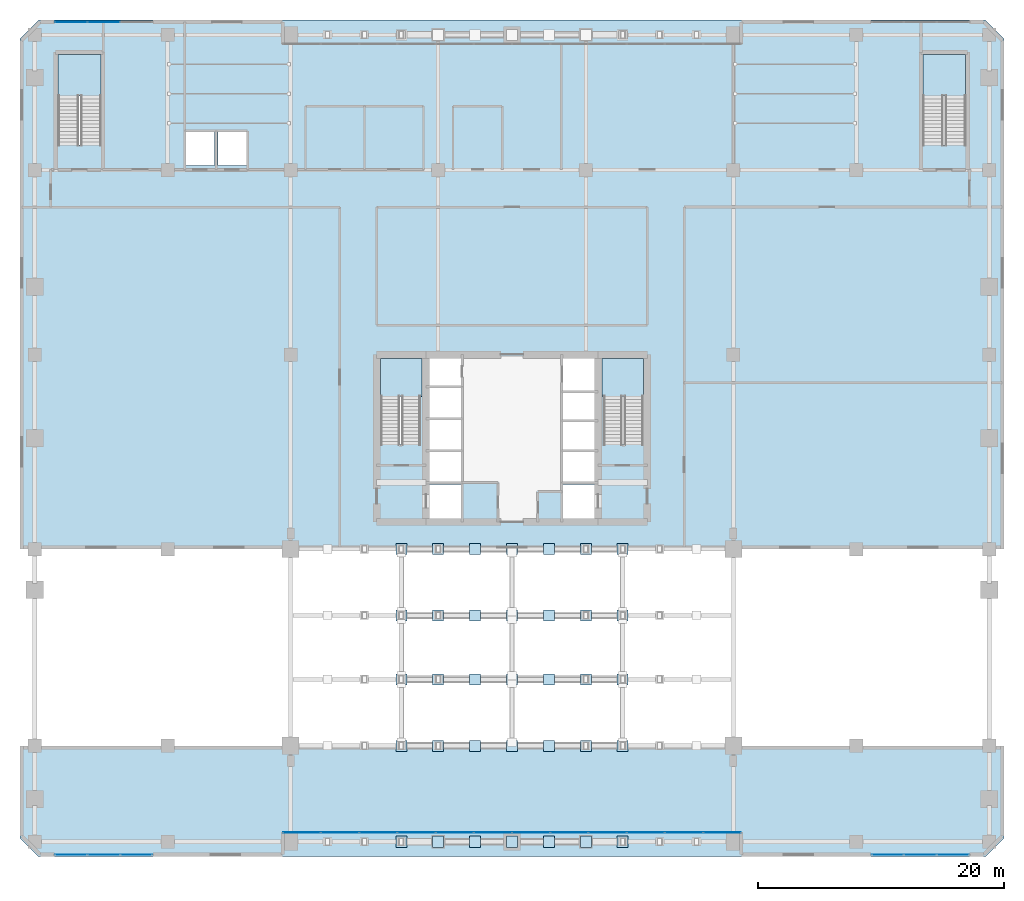
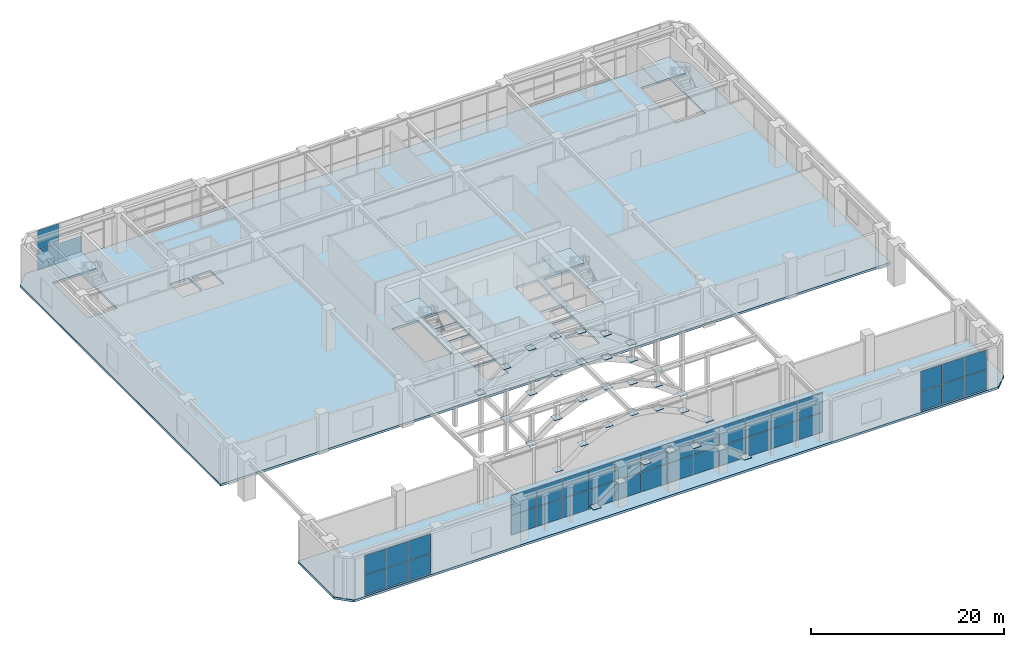
# One storey, part 22 of 32: 74 plates, 6 slabs, 8 elements without a shape of their own.
"""IFC4 building model written with IfcOpenShell, lengths in metres."""

from ifc_helpers import new_model, si_unit, direction, frame, origin, origin_2d, place, context, subcontext, project, spatial, polyline, rectangle, outline, extrude, material, layer, layer_set, type_object, element, aggregate, save


model = new_model("IFC4")

# Units and contexts
model_context = context("Model", 3, precision=1e-05, world=origin(), true_north=direction((0.0, 1.0)))
body_context = subcontext(model_context, "Body", "Model", "MODEL_VIEW")
ifc_project = project(units=[si_unit("LENGTHUNIT", "METRE"), si_unit("AREAUNIT", "SQUARE_METRE"), si_unit("VOLUMEUNIT", "CUBIC_METRE"), si_unit("PLANEANGLEUNIT", "RADIAN"), si_unit("MASSUNIT", "GRAM", prefix="KILO")], contexts=[model_context])

# Site, building, storey
site_placement = place(None, origin())
site = spatial("IfcSite", under=ifc_project, at=site_placement, CompositionType="ELEMENT")
building_placement = place(site_placement, origin())
building = spatial("IfcBuilding", under=site, at=building_placement, Name="Sarneth Arch Tower", CompositionType="ELEMENT")
storey_placement = place(building_placement, frame((0.0, 0.0, 11.39990234375)))
storey = spatial("IfcBuildingStorey", under=building, at=storey_placement, Name="L02", CompositionType="ELEMENT", Elevation=11.39990234375)

# Curtain wall, plates
ifc_material_1 = material(Name="Anodised aluminium Type AA25 and solar-control low-e laminated IGU", Category="aluminium")
ifc_layer_1 = layer(ifc_material_1, 0.199951171875)
ifc_layer_set_1 = layer_set([ifc_layer_1], Name="Anodised aluminium Type AA25 and solar-control low-e laminated IGU")
curtain_wall_type_1 = type_object("IfcCurtainWallType", Name="CW-ARCH-GLAZE", PredefinedType="NOTDEFINED", material=ifc_layer_set_1)
curtain_wall_1_placement = place(storey_placement, origin())
curtain_wall_1 = element("IfcCurtainWall", 1, at=curtain_wall_1_placement, inside=storey, type_object=curtain_wall_type_1, Name="L02 South parabolic arch portal curtain wall", PredefinedType="NOTDEFINED")
ifc_material_2 = material(Name="Solar-control low-e laminated IGU", Category="glass")
ifc_layer_2 = layer(ifc_material_2, 0.028076171875)
ifc_layer_set_2 = layer_set([ifc_layer_2], Name="Solar-control low-e laminated IGU")
plate_type_1 = type_object("IfcPlateType", Name="CW-PANEL", PredefinedType="CURTAIN_PANEL", material=ifc_layer_set_2)
plate_1_placement = place(storey_placement, frame((30.919189453125, 9.949951171875, 0.06005859375), z_axis=(0.0, 0.0, 1.0), x_axis=(1.0, 0.0, 0.0)))
plate_1 = element("IfcPlate", 2, at=plate_1_placement, type_object=plate_type_1, Name="Curtain wall glazed vision pane CW-L02-S-ARCH/P00-00", PredefinedType="CURTAIN_PANEL", context=body_context, shape_type="SweptSolid", body=[
    extrude(rectangle(XDim=3.018310546875, YDim=0.028076171875, at=origin_2d()), origin(), (0.0, 0.0, 1.0), 2.4599609375),
])
plate_2_placement = place(storey_placement, frame((30.919189453125, 9.949951171875, 2.580078125), z_axis=(0.0, 0.0, 1.0), x_axis=(1.0, 0.0, 0.0)))
plate_2 = element("IfcPlate", 3, at=plate_2_placement, type_object=plate_type_1, Name="Curtain wall glazed vision pane CW-L02-S-ARCH/P00-01", PredefinedType="CURTAIN_PANEL", context=body_context, shape_type="SweptSolid", body=[
    extrude(rectangle(XDim=3.018310546875, YDim=0.028076171875, at=origin_2d()), origin(), (0.0, 0.0, 1.0), 2.4599609375),
])
plate_3_placement = place(storey_placement, frame((34.012451171875, 9.949951171875, 0.06005859375), z_axis=(0.0, 0.0, 1.0), x_axis=(1.0, 0.0, 0.0)))
plate_3 = element("IfcPlate", 4, at=plate_3_placement, type_object=plate_type_1, Name="Curtain wall glazed vision pane CW-L02-S-ARCH/P01-00", PredefinedType="CURTAIN_PANEL", context=body_context, shape_type="SweptSolid", body=[
    extrude(rectangle(XDim=3.04833984375, YDim=0.028076171875, at=origin_2d()), origin(), (0.0, 0.0, 1.0), 2.4599609375),
])
plate_4_placement = place(storey_placement, frame((34.012451171875, 9.949951171875, 2.580078125), z_axis=(0.0, 0.0, 1.0), x_axis=(1.0, 0.0, 0.0)))
plate_4 = element("IfcPlate", 5, at=plate_4_placement, type_object=plate_type_1, Name="Curtain wall glazed vision pane CW-L02-S-ARCH/P01-01", PredefinedType="CURTAIN_PANEL", context=body_context, shape_type="SweptSolid", body=[
    extrude(rectangle(XDim=3.04833984375, YDim=0.028076171875, at=origin_2d()), origin(), (0.0, 0.0, 1.0), 2.4599609375),
])
plate_5_placement = place(storey_placement, frame((37.120849609375, 9.949951171875, 0.06005859375), z_axis=(0.0, 0.0, 1.0), x_axis=(1.0, 0.0, 0.0)))
plate_5 = element("IfcPlate", 6, at=plate_5_placement, type_object=plate_type_1, Name="Curtain wall glazed vision pane CW-L02-S-ARCH/P02-00", PredefinedType="CURTAIN_PANEL", context=body_context, shape_type="SweptSolid", body=[
    extrude(rectangle(XDim=3.04833984375, YDim=0.028076171875, at=origin_2d()), origin(), (0.0, 0.0, 1.0), 2.4599609375),
])
plate_6_placement = place(storey_placement, frame((37.120849609375, 9.949951171875, 2.580078125), z_axis=(0.0, 0.0, 1.0), x_axis=(1.0, 0.0, 0.0)))
plate_6 = element("IfcPlate", 7, at=plate_6_placement, type_object=plate_type_1, Name="Curtain wall glazed vision pane CW-L02-S-ARCH/P02-01", PredefinedType="CURTAIN_PANEL", context=body_context, shape_type="SweptSolid", body=[
    extrude(rectangle(XDim=3.04833984375, YDim=0.028076171875, at=origin_2d()), origin(), (0.0, 0.0, 1.0), 2.4599609375),
])
plate_7_placement = place(storey_placement, frame((40.229248046875, 9.949951171875, 0.06005859375), z_axis=(0.0, 0.0, 1.0), x_axis=(1.0, 0.0, 0.0)))
plate_7 = element("IfcPlate", 8, at=plate_7_placement, type_object=plate_type_1, Name="Curtain wall glazed vision pane CW-L02-S-ARCH/P03-00", PredefinedType="CURTAIN_PANEL", context=body_context, shape_type="SweptSolid", body=[
    extrude(rectangle(XDim=3.04833984375, YDim=0.028076171875, at=origin_2d()), origin(), (0.0, 0.0, 1.0), 2.4599609375),
])
plate_8_placement = place(storey_placement, frame((40.229248046875, 9.949951171875, 2.580078125), z_axis=(0.0, 0.0, 1.0), x_axis=(1.0, 0.0, 0.0)))
plate_8 = element("IfcPlate", 9, at=plate_8_placement, type_object=plate_type_1, Name="Curtain wall glazed vision pane CW-L02-S-ARCH/P03-01", PredefinedType="CURTAIN_PANEL", context=body_context, shape_type="SweptSolid", body=[
    extrude(rectangle(XDim=3.04833984375, YDim=0.028076171875, at=origin_2d()), origin(), (0.0, 0.0, 1.0), 2.4599609375),
])
plate_9_placement = place(storey_placement, frame((43.33740234375, 9.949951171875, 0.06005859375), z_axis=(0.0, 0.0, 1.0), x_axis=(1.0, 0.0, 0.0)))
plate_9 = element("IfcPlate", 10, at=plate_9_placement, type_object=plate_type_1, Name="Curtain wall glazed vision pane CW-L02-S-ARCH/P04-00", PredefinedType="CURTAIN_PANEL", context=body_context, shape_type="SweptSolid", body=[
    extrude(rectangle(XDim=3.04833984375, YDim=0.028076171875, at=origin_2d()), origin(), (0.0, 0.0, 1.0), 2.4599609375),
])
plate_10_placement = place(storey_placement, frame((43.33740234375, 9.949951171875, 2.580078125), z_axis=(0.0, 0.0, 1.0), x_axis=(1.0, 0.0, 0.0)))
plate_10 = element("IfcPlate", 11, at=plate_10_placement, type_object=plate_type_1, Name="Curtain wall glazed vision pane CW-L02-S-ARCH/P04-01", PredefinedType="CURTAIN_PANEL", context=body_context, shape_type="SweptSolid", body=[
    extrude(rectangle(XDim=3.04833984375, YDim=0.028076171875, at=origin_2d()), origin(), (0.0, 0.0, 1.0), 2.4599609375),
])
plate_11_placement = place(storey_placement, frame((46.44580078125, 9.949951171875, 0.06005859375), z_axis=(0.0, 0.0, 1.0), x_axis=(1.0, 0.0, 0.0)))
plate_11 = element("IfcPlate", 12, at=plate_11_placement, type_object=plate_type_1, Name="Curtain wall glazed vision pane CW-L02-S-ARCH/P05-00", PredefinedType="CURTAIN_PANEL", context=body_context, shape_type="SweptSolid", body=[
    extrude(rectangle(XDim=3.04833984375, YDim=0.028076171875, at=origin_2d()), origin(), (0.0, 0.0, 1.0), 2.4599609375),
])
plate_12_placement = place(storey_placement, frame((46.44580078125, 9.949951171875, 2.580078125), z_axis=(0.0, 0.0, 1.0), x_axis=(1.0, 0.0, 0.0)))
plate_12 = element("IfcPlate", 13, at=plate_12_placement, type_object=plate_type_1, Name="Curtain wall glazed vision pane CW-L02-S-ARCH/P05-01", PredefinedType="CURTAIN_PANEL", context=body_context, shape_type="SweptSolid", body=[
    extrude(rectangle(XDim=3.04833984375, YDim=0.028076171875, at=origin_2d()), origin(), (0.0, 0.0, 1.0), 2.4599609375),
])
plate_13_placement = place(storey_placement, frame((49.55419921875, 9.949951171875, 0.06005859375), z_axis=(0.0, 0.0, 1.0), x_axis=(1.0, 0.0, 0.0)))
plate_13 = element("IfcPlate", 14, at=plate_13_placement, type_object=plate_type_1, Name="Curtain wall glazed vision pane CW-L02-S-ARCH/P06-00", PredefinedType="CURTAIN_PANEL", context=body_context, shape_type="SweptSolid", body=[
    extrude(rectangle(XDim=3.04833984375, YDim=0.028076171875, at=origin_2d()), origin(), (0.0, 0.0, 1.0), 2.4599609375),
])
plate_14_placement = place(storey_placement, frame((49.55419921875, 9.949951171875, 2.580078125), z_axis=(0.0, 0.0, 1.0), x_axis=(1.0, 0.0, 0.0)))
plate_14 = element("IfcPlate", 15, at=plate_14_placement, type_object=plate_type_1, Name="Curtain wall glazed vision pane CW-L02-S-ARCH/P06-01", PredefinedType="CURTAIN_PANEL", context=body_context, shape_type="SweptSolid", body=[
    extrude(rectangle(XDim=3.04833984375, YDim=0.028076171875, at=origin_2d()), origin(), (0.0, 0.0, 1.0), 2.4599609375),
])
plate_15_placement = place(storey_placement, frame((52.66259765625, 9.949951171875, 0.06005859375), z_axis=(0.0, 0.0, 1.0), x_axis=(1.0, 0.0, 0.0)))
plate_15 = element("IfcPlate", 16, at=plate_15_placement, type_object=plate_type_1, Name="Curtain wall glazed vision pane CW-L02-S-ARCH/P07-00", PredefinedType="CURTAIN_PANEL", context=body_context, shape_type="SweptSolid", body=[
    extrude(rectangle(XDim=3.04833984375, YDim=0.028076171875, at=origin_2d()), origin(), (0.0, 0.0, 1.0), 2.4599609375),
])
plate_16_placement = place(storey_placement, frame((52.66259765625, 9.949951171875, 2.580078125), z_axis=(0.0, 0.0, 1.0), x_axis=(1.0, 0.0, 0.0)))
plate_16 = element("IfcPlate", 17, at=plate_16_placement, type_object=plate_type_1, Name="Curtain wall glazed vision pane CW-L02-S-ARCH/P07-01", PredefinedType="CURTAIN_PANEL", context=body_context, shape_type="SweptSolid", body=[
    extrude(rectangle(XDim=3.04833984375, YDim=0.028076171875, at=origin_2d()), origin(), (0.0, 0.0, 1.0), 2.4599609375),
])
plate_17_placement = place(storey_placement, frame((55.770751953125, 9.949951171875, 0.06005859375), z_axis=(0.0, 0.0, 1.0), x_axis=(1.0, 0.0, 0.0)))
plate_17 = element("IfcPlate", 18, at=plate_17_placement, type_object=plate_type_1, Name="Curtain wall glazed vision pane CW-L02-S-ARCH/P08-00", PredefinedType="CURTAIN_PANEL", context=body_context, shape_type="SweptSolid", body=[
    extrude(rectangle(XDim=3.04833984375, YDim=0.028076171875, at=origin_2d()), origin(), (0.0, 0.0, 1.0), 2.4599609375),
])
plate_18_placement = place(storey_placement, frame((55.770751953125, 9.949951171875, 2.580078125), z_axis=(0.0, 0.0, 1.0), x_axis=(1.0, 0.0, 0.0)))
plate_18 = element("IfcPlate", 19, at=plate_18_placement, type_object=plate_type_1, Name="Curtain wall glazed vision pane CW-L02-S-ARCH/P08-01", PredefinedType="CURTAIN_PANEL", context=body_context, shape_type="SweptSolid", body=[
    extrude(rectangle(XDim=3.04833984375, YDim=0.028076171875, at=origin_2d()), origin(), (0.0, 0.0, 1.0), 2.4599609375),
])
plate_19_placement = place(storey_placement, frame((58.879150390625, 9.949951171875, 0.06005859375), z_axis=(0.0, 0.0, 1.0), x_axis=(1.0, 0.0, 0.0)))
plate_19 = element("IfcPlate", 20, at=plate_19_placement, type_object=plate_type_1, Name="Curtain wall glazed vision pane CW-L02-S-ARCH/P09-00", PredefinedType="CURTAIN_PANEL", context=body_context, shape_type="SweptSolid", body=[
    extrude(rectangle(XDim=3.04833984375, YDim=0.028076171875, at=origin_2d()), origin(), (0.0, 0.0, 1.0), 2.4599609375),
])
plate_20_placement = place(storey_placement, frame((58.879150390625, 9.949951171875, 2.580078125), z_axis=(0.0, 0.0, 1.0), x_axis=(1.0, 0.0, 0.0)))
plate_20 = element("IfcPlate", 21, at=plate_20_placement, type_object=plate_type_1, Name="Curtain wall glazed vision pane CW-L02-S-ARCH/P09-01", PredefinedType="CURTAIN_PANEL", context=body_context, shape_type="SweptSolid", body=[
    extrude(rectangle(XDim=3.04833984375, YDim=0.028076171875, at=origin_2d()), origin(), (0.0, 0.0, 1.0), 2.4599609375),
])
plate_21_placement = place(storey_placement, frame((61.987548828125, 9.949951171875, 0.06005859375), z_axis=(0.0, 0.0, 1.0), x_axis=(1.0, 0.0, 0.0)))
plate_21 = element("IfcPlate", 22, at=plate_21_placement, type_object=plate_type_1, Name="Curtain wall glazed vision pane CW-L02-S-ARCH/P10-00", PredefinedType="CURTAIN_PANEL", context=body_context, shape_type="SweptSolid", body=[
    extrude(rectangle(XDim=3.04833984375, YDim=0.028076171875, at=origin_2d()), origin(), (0.0, 0.0, 1.0), 2.4599609375),
])
plate_22_placement = place(storey_placement, frame((61.987548828125, 9.949951171875, 2.580078125), z_axis=(0.0, 0.0, 1.0), x_axis=(1.0, 0.0, 0.0)))
plate_22 = element("IfcPlate", 23, at=plate_22_placement, type_object=plate_type_1, Name="Curtain wall glazed vision pane CW-L02-S-ARCH/P10-01", PredefinedType="CURTAIN_PANEL", context=body_context, shape_type="SweptSolid", body=[
    extrude(rectangle(XDim=3.04833984375, YDim=0.028076171875, at=origin_2d()), origin(), (0.0, 0.0, 1.0), 2.4599609375),
])
plate_23_placement = place(storey_placement, frame((65.080810546875, 9.949951171875, 0.06005859375), z_axis=(0.0, 0.0, 1.0), x_axis=(1.0, 0.0, 0.0)))
plate_23 = element("IfcPlate", 24, at=plate_23_placement, type_object=plate_type_1, Name="Curtain wall glazed vision pane CW-L02-S-ARCH/P11-00", PredefinedType="CURTAIN_PANEL", context=body_context, shape_type="SweptSolid", body=[
    extrude(rectangle(XDim=3.018310546875, YDim=0.028076171875, at=origin_2d()), origin(), (0.0, 0.0, 1.0), 2.4599609375),
])
plate_24_placement = place(storey_placement, frame((65.080810546875, 9.949951171875, 2.580078125), z_axis=(0.0, 0.0, 1.0), x_axis=(1.0, 0.0, 0.0)))
plate_24 = element("IfcPlate", 25, at=plate_24_placement, type_object=plate_type_1, Name="Curtain wall glazed vision pane CW-L02-S-ARCH/P11-01", PredefinedType="CURTAIN_PANEL", context=body_context, shape_type="SweptSolid", body=[
    extrude(rectangle(XDim=3.018310546875, YDim=0.028076171875, at=origin_2d()), origin(), (0.0, 0.0, 1.0), 2.4599609375),
])
aggregate(curtain_wall_1, [plate_1, plate_2, plate_3, plate_4, plate_5, plate_6, plate_7, plate_8, plate_9, plate_10, plate_11, plate_12, plate_13, plate_14, plate_15, plate_16, plate_17, plate_18, plate_19, plate_20, plate_21, plate_22, plate_23, plate_24])

ifc_material_3 = material(Name="Anodised aluminium Type AA25 and solar-control low-e laminated IGU", Category="aluminium")
ifc_layer_3 = layer(ifc_material_3, 0.179931640625)
ifc_layer_set_3 = layer_set([ifc_layer_3], Name="Anodised aluminium Type AA25 and solar-control low-e laminated IGU")
curtain_wall_type_2 = type_object("IfcCurtainWallType", Name="CW-PODIUM-CHAMF", PredefinedType="NOTDEFINED", material=ifc_layer_set_3)
curtain_wall_2_placement = place(storey_placement, origin())
curtain_wall_2 = element("IfcCurtainWall", 26, at=curtain_wall_2_placement, inside=storey, type_object=curtain_wall_type_2, Name="L02 Podium bay curtain wall NW", PredefinedType="NOTDEFINED")
plate_25_placement = place(storey_placement, frame((14.800048828125, 75.85009765625, 0.06005859375), z_axis=(0.0, 0.0, 1.0), x_axis=(-1.0, 0.0, 0.0)))
plate_25 = element("IfcPlate", 27, at=plate_25_placement, type_object=plate_type_1, Name="Curtain wall glazed vision pane CW-L02-CORNER-NW/P01-00", PredefinedType="CURTAIN_PANEL", context=body_context, shape_type="SweptSolid", body=[
    extrude(rectangle(XDim=2.606689453125, YDim=0.028076171875, at=origin_2d()), origin(), (0.0, 0.0, 1.0), 2.4599609375),
])
plate_26_placement = place(storey_placement, frame((12.1484375, 75.85009765625, 0.06005859375), z_axis=(0.0, 0.0, 1.0), x_axis=(-1.0, 0.0, 0.0)))
plate_26 = element("IfcPlate", 28, at=plate_26_placement, type_object=plate_type_1, Name="Curtain wall glazed vision pane CW-L02-CORNER-NW/P02-00", PredefinedType="CURTAIN_PANEL", context=body_context, shape_type="SweptSolid", body=[
    extrude(rectangle(XDim=2.57666015625, YDim=0.028076171875, at=origin_2d()), origin(), (0.0, 0.0, 1.0), 2.4599609375),
])
plate_27_placement = place(storey_placement, frame((12.1484375, 75.85009765625, 2.580078125), z_axis=(0.0, 0.0, 1.0), x_axis=(-1.0, 0.0, 0.0)))
plate_27 = element("IfcPlate", 29, at=plate_27_placement, type_object=plate_type_1, Name="Curtain wall glazed vision pane CW-L02-CORNER-NW/P02-01", PredefinedType="CURTAIN_PANEL", context=body_context, shape_type="SweptSolid", body=[
    extrude(rectangle(XDim=2.57666015625, YDim=0.028076171875, at=origin_2d()), origin(), (0.0, 0.0, 1.0), 2.4599609375),
])
aggregate(curtain_wall_2, [plate_25, plate_26, plate_27])

curtain_wall_3_placement = place(storey_placement, origin())
curtain_wall_3 = element("IfcCurtainWall", 30, at=curtain_wall_3_placement, inside=storey, type_object=curtain_wall_type_2, Name="L02 Podium bay curtain wall SW", PredefinedType="NOTDEFINED")
plate_28_placement = place(storey_placement, frame((12.1484375, 8.14990234375, 0.06005859375), z_axis=(0.0, 0.0, 1.0), x_axis=(1.0, 0.0, 0.0)))
plate_28 = element("IfcPlate", 31, at=plate_28_placement, type_object=plate_type_1, Name="Curtain wall glazed vision pane CW-L02-CORNER-SW/P00-00", PredefinedType="CURTAIN_PANEL", context=body_context, shape_type="SweptSolid", body=[
    extrude(rectangle(XDim=2.57666015625, YDim=0.028076171875, at=origin_2d()), origin(), (0.0, 0.0, 1.0), 2.4599609375),
])
plate_29_placement = place(storey_placement, frame((12.1484375, 8.14990234375, 2.580078125), z_axis=(0.0, 0.0, 1.0), x_axis=(1.0, 0.0, 0.0)))
plate_29 = element("IfcPlate", 32, at=plate_29_placement, type_object=plate_type_1, Name="Curtain wall glazed vision pane CW-L02-CORNER-SW/P00-01", PredefinedType="CURTAIN_PANEL", context=body_context, shape_type="SweptSolid", body=[
    extrude(rectangle(XDim=2.57666015625, YDim=0.028076171875, at=origin_2d()), origin(), (0.0, 0.0, 1.0), 2.4599609375),
])
plate_30_placement = place(storey_placement, frame((14.800048828125, 8.14990234375, 0.06005859375), z_axis=(0.0, 0.0, 1.0), x_axis=(1.0, 0.0, 0.0)))
plate_30 = element("IfcPlate", 33, at=plate_30_placement, type_object=plate_type_1, Name="Curtain wall glazed vision pane CW-L02-CORNER-SW/P01-00", PredefinedType="CURTAIN_PANEL", context=body_context, shape_type="SweptSolid", body=[
    extrude(rectangle(XDim=2.606689453125, YDim=0.028076171875, at=origin_2d()), origin(), (0.0, 0.0, 1.0), 2.4599609375),
])
plate_31_placement = place(storey_placement, frame((14.800048828125, 8.14990234375, 2.580078125), z_axis=(0.0, 0.0, 1.0), x_axis=(1.0, 0.0, 0.0)))
plate_31 = element("IfcPlate", 34, at=plate_31_placement, type_object=plate_type_1, Name="Curtain wall glazed vision pane CW-L02-CORNER-SW/P01-01", PredefinedType="CURTAIN_PANEL", context=body_context, shape_type="SweptSolid", body=[
    extrude(rectangle(XDim=2.606689453125, YDim=0.028076171875, at=origin_2d()), origin(), (0.0, 0.0, 1.0), 2.4599609375),
])
plate_32_placement = place(storey_placement, frame((17.45166015625, 8.14990234375, 0.06005859375), z_axis=(0.0, 0.0, 1.0), x_axis=(1.0, 0.0, 0.0)))
plate_32 = element("IfcPlate", 35, at=plate_32_placement, type_object=plate_type_1, Name="Curtain wall glazed vision pane CW-L02-CORNER-SW/P02-00", PredefinedType="CURTAIN_PANEL", context=body_context, shape_type="SweptSolid", body=[
    extrude(rectangle(XDim=2.57666015625, YDim=0.028076171875, at=origin_2d()), origin(), (0.0, 0.0, 1.0), 2.4599609375),
])
plate_33_placement = place(storey_placement, frame((17.45166015625, 8.14990234375, 2.580078125), z_axis=(0.0, 0.0, 1.0), x_axis=(1.0, 0.0, 0.0)))
plate_33 = element("IfcPlate", 36, at=plate_33_placement, type_object=plate_type_1, Name="Curtain wall glazed vision pane CW-L02-CORNER-SW/P02-01", PredefinedType="CURTAIN_PANEL", context=body_context, shape_type="SweptSolid", body=[
    extrude(rectangle(XDim=2.57666015625, YDim=0.028076171875, at=origin_2d()), origin(), (0.0, 0.0, 1.0), 2.4599609375),
])
aggregate(curtain_wall_3, [plate_28, plate_29, plate_30, plate_31, plate_32, plate_33])

curtain_wall_4_placement = place(storey_placement, origin())
curtain_wall_4 = element("IfcCurtainWall", 37, at=curtain_wall_4_placement, inside=storey, type_object=curtain_wall_type_2, Name="L02 Podium bay curtain wall SE", PredefinedType="NOTDEFINED")
plate_34_placement = place(storey_placement, frame((78.54833984375, 8.14990234375, 0.06005859375), z_axis=(0.0, 0.0, 1.0), x_axis=(1.0, 0.0, 0.0)))
plate_34 = element("IfcPlate", 38, at=plate_34_placement, type_object=plate_type_1, Name="Curtain wall glazed vision pane CW-L02-CORNER-SE/P00-00", PredefinedType="CURTAIN_PANEL", context=body_context, shape_type="SweptSolid", body=[
    extrude(rectangle(XDim=2.57666015625, YDim=0.028076171875, at=origin_2d()), origin(), (0.0, 0.0, 1.0), 2.4599609375),
])
plate_35_placement = place(storey_placement, frame((78.54833984375, 8.14990234375, 2.580078125), z_axis=(0.0, 0.0, 1.0), x_axis=(1.0, 0.0, 0.0)))
plate_35 = element("IfcPlate", 39, at=plate_35_placement, type_object=plate_type_1, Name="Curtain wall glazed vision pane CW-L02-CORNER-SE/P00-01", PredefinedType="CURTAIN_PANEL", context=body_context, shape_type="SweptSolid", body=[
    extrude(rectangle(XDim=2.57666015625, YDim=0.028076171875, at=origin_2d()), origin(), (0.0, 0.0, 1.0), 2.4599609375),
])
plate_36_placement = place(storey_placement, frame((81.199951171875, 8.14990234375, 0.06005859375), z_axis=(0.0, 0.0, 1.0), x_axis=(1.0, 0.0, 0.0)))
plate_36 = element("IfcPlate", 40, at=plate_36_placement, type_object=plate_type_1, Name="Curtain wall glazed vision pane CW-L02-CORNER-SE/P01-00", PredefinedType="CURTAIN_PANEL", context=body_context, shape_type="SweptSolid", body=[
    extrude(rectangle(XDim=2.606689453125, YDim=0.028076171875, at=origin_2d()), origin(), (0.0, 0.0, 1.0), 2.4599609375),
])
plate_37_placement = place(storey_placement, frame((81.199951171875, 8.14990234375, 2.580078125), z_axis=(0.0, 0.0, 1.0), x_axis=(1.0, 0.0, 0.0)))
plate_37 = element("IfcPlate", 41, at=plate_37_placement, type_object=plate_type_1, Name="Curtain wall glazed vision pane CW-L02-CORNER-SE/P01-01", PredefinedType="CURTAIN_PANEL", context=body_context, shape_type="SweptSolid", body=[
    extrude(rectangle(XDim=2.606689453125, YDim=0.028076171875, at=origin_2d()), origin(), (0.0, 0.0, 1.0), 2.4599609375),
])
plate_38_placement = place(storey_placement, frame((83.8515625, 8.14990234375, 0.06005859375), z_axis=(0.0, 0.0, 1.0), x_axis=(1.0, 0.0, 0.0)))
plate_38 = element("IfcPlate", 42, at=plate_38_placement, type_object=plate_type_1, Name="Curtain wall glazed vision pane CW-L02-CORNER-SE/P02-00", PredefinedType="CURTAIN_PANEL", context=body_context, shape_type="SweptSolid", body=[
    extrude(rectangle(XDim=2.57666015625, YDim=0.028076171875, at=origin_2d()), origin(), (0.0, 0.0, 1.0), 2.4599609375),
])
plate_39_placement = place(storey_placement, frame((83.8515625, 8.14990234375, 2.580078125), z_axis=(0.0, 0.0, 1.0), x_axis=(1.0, 0.0, 0.0)))
plate_39 = element("IfcPlate", 43, at=plate_39_placement, type_object=plate_type_1, Name="Curtain wall glazed vision pane CW-L02-CORNER-SE/P02-01", PredefinedType="CURTAIN_PANEL", context=body_context, shape_type="SweptSolid", body=[
    extrude(rectangle(XDim=2.57666015625, YDim=0.028076171875, at=origin_2d()), origin(), (0.0, 0.0, 1.0), 2.4599609375),
])
aggregate(curtain_wall_4, [plate_34, plate_35, plate_36, plate_37, plate_38, plate_39])

# Plates
ifc_material_4 = material(Name="Steel S355", Category="steel")
ifc_layer_4 = layer(ifc_material_4, 0.035888671875)
ifc_layer_set_4 = layer_set([ifc_layer_4], Name="Steel S355")
plate_type_2 = type_object("IfcPlateType", Name="PLT-GUSSET-30", PredefinedType="SHEET", material=ifc_layer_set_4)
for number, where, z_axis, x_axis, name in (
    (44, (39.0, 9.199951171875, 0.71337890625), (0.0, 0.0, 1.0), (-1.0, 0.0, 0.0), "Steel end cap plate GP-1"),
    (45, (42.0, 9.199951171875, 2.93212890625), (0.0, 0.0, 1.0), (-1.0, 0.0, 0.0), "Steel end cap plate GP-1"),
    (46, (45.0, 9.199951171875, 4.26318359375), (0.0, 0.0, 1.0), (-1.0, 0.0, 0.0), "Steel end cap plate GP-1"),
    (47, (48.0, 9.199951171875, 4.70703125), (0.0, 0.0, 1.0), (-1.0, 0.0, 0.0), "Steel end cap plate GP-1"),
    (48, (51.0, 9.199951171875, 4.26318359375), (0.0, 0.0, 1.0), (-1.0, 0.0, 0.0), "Steel end cap plate GP-1"),
    (49, (54.0, 9.199951171875, 2.93212890625), (0.0, 0.0, 1.0), (-1.0, 0.0, 0.0), "Steel end cap plate GP-1"),
    (50, (57.0, 9.199951171875, 0.71337890625), (0.0, 0.0, 1.0), (-1.0, 0.0, 0.0), "Steel end cap plate GP-1"),
    (51, (39.0, 17.0, 0.71337890625), (0.0, 0.0, 1.0), (-1.0, 0.0, 0.0), "Steel end cap plate GP-1"),
    (52, (42.0, 17.0, 2.93212890625), (0.0, 0.0, 1.0), (-1.0, 0.0, 0.0), "Steel end cap plate GP-1"),
    (53, (45.0, 17.0, 4.26318359375), (0.0, 0.0, 1.0), (-1.0, 0.0, 0.0), "Steel end cap plate GP-1"),
    (54, (48.0, 17.0, 4.70703125), (0.0, 0.0, 1.0), (-1.0, 0.0, 0.0), "Steel end cap plate GP-1"),
    (55, (51.0, 17.0, 4.26318359375), (0.0, 0.0, 1.0), (-1.0, 0.0, 0.0), "Steel end cap plate GP-1"),
    (56, (54.0, 17.0, 2.93212890625), (0.0, 0.0, 1.0), (-1.0, 0.0, 0.0), "Steel end cap plate GP-1"),
    (57, (57.0, 17.0, 0.71337890625), (0.0, 0.0, 1.0), (-1.0, 0.0, 0.0), "Steel end cap plate GP-1"),
    (58, (39.0, 22.39990234375, 0.71337890625), (0.0, 0.0, 1.0), (-1.0, 0.0, 0.0), "Steel end cap plate GP-1"),
    (59, (42.0, 22.39990234375, 2.93212890625), (0.0, 0.0, 1.0), (-1.0, 0.0, 0.0), "Steel end cap plate GP-1"),
    (60, (45.0, 22.39990234375, 4.26318359375), (0.0, 0.0, 1.0), (-1.0, 0.0, 0.0), "Steel end cap plate GP-1"),
    (61, (48.0, 22.39990234375, 4.70703125), (0.0, 0.0, 1.0), (-1.0, 0.0, 0.0), "Steel end cap plate GP-1"),
    (62, (51.0, 22.39990234375, 4.26318359375), (0.0, 0.0, 1.0), (-1.0, 0.0, 0.0), "Steel end cap plate GP-1"),
    (63, (54.0, 22.39990234375, 2.93212890625), (0.0, 0.0, 1.0), (-1.0, 0.0, 0.0), "Steel end cap plate GP-1"),
    (64, (57.0, 22.39990234375, 0.71337890625), (0.0, 0.0, 1.0), (-1.0, 0.0, 0.0), "Steel end cap plate GP-1"),
    (65, (39.0, 27.60009765625, 0.71337890625), (0.0, 0.0, 1.0), (-1.0, 0.0, 0.0), "Steel end cap plate GP-1"),
    (66, (42.0, 27.60009765625, 2.93212890625), (0.0, 0.0, 1.0), (-1.0, 0.0, 0.0), "Steel end cap plate GP-1"),
    (67, (45.0, 27.60009765625, 4.26318359375), (0.0, 0.0, 1.0), (-1.0, 0.0, 0.0), "Steel end cap plate GP-1"),
    (68, (48.0, 27.60009765625, 4.70703125), (0.0, 0.0, 1.0), (-1.0, 0.0, 0.0), "Steel end cap plate GP-1"),
    (69, (51.0, 27.60009765625, 4.26318359375), (0.0, 0.0, 1.0), (-1.0, 0.0, 0.0), "Steel end cap plate GP-1"),
    (70, (54.0, 27.60009765625, 2.93212890625), (0.0, 0.0, 1.0), (-1.0, 0.0, 0.0), "Steel end cap plate GP-1"),
    (71, (57.0, 27.60009765625, 0.71337890625), (0.0, 0.0, 1.0), (-1.0, 0.0, 0.0), "Steel end cap plate GP-1"),
    (72, (39.0, 33.0, 0.71337890625), (0.0, 0.0, 1.0), (-1.0, 0.0, 0.0), "Steel end cap plate GP-1"),
    (73, (42.0, 33.0, 2.93212890625), (0.0, 0.0, 1.0), (-1.0, 0.0, 0.0), "Steel end cap plate GP-1"),
    (74, (45.0, 33.0, 4.26318359375), (0.0, 0.0, 1.0), (-1.0, 0.0, 0.0), "Steel end cap plate GP-1"),
    (75, (48.0, 33.0, 4.70703125), (0.0, 0.0, 1.0), (-1.0, 0.0, 0.0), "Steel end cap plate GP-1"),
    (76, (51.0, 33.0, 4.26318359375), (0.0, 0.0, 1.0), (-1.0, 0.0, 0.0), "Steel end cap plate GP-1"),
    (77, (54.0, 33.0, 2.93212890625), (0.0, 0.0, 1.0), (-1.0, 0.0, 0.0), "Steel end cap plate GP-1"),
    (78, (57.0, 33.0, 0.71337890625), (0.0, 0.0, 1.0), (-1.0, 0.0, 0.0), "Steel end cap plate GP-1"),
):
    element("IfcPlate", number, at=place(storey_placement, frame(where, z_axis=z_axis, x_axis=x_axis)), inside=storey, type_object=plate_type_2, Name=name, PredefinedType="SHEET", context=body_context, shape_type="SweptSolid", body=[
        extrude(rectangle(XDim=0.89990234375, YDim=0.89990234375, at=origin_2d()), origin(), (0.0, 0.0, 1.0), 0.035888671875),
    ])

# Stair, slab
ifc_material_5 = material(Name="Concrete C50/60", Category="concrete")
stair_type_1 = type_object("IfcStairType", Name="STAIR-CORE-RC", PredefinedType="HALF_TURN_STAIR", material=ifc_material_5)
stair_1_placement = place(storey_placement, origin())
stair_1 = element("IfcStair", 79, at=stair_1_placement, inside=storey, type_object=stair_type_1, Name="L02 Core Exit Stair 1", PredefinedType="HALF_TURN_STAIR")
ifc_material_6 = material(Name="Concrete C50/60", Category="concrete")
ifc_layer_5 = layer(ifc_material_6, 0.199951171875)
ifc_layer_set_5 = layer_set([ifc_layer_5], Name="Concrete C50/60")
slab_type_1 = type_object("IfcSlabType", Name="SLAB-LANDING-200", PredefinedType="LANDING", material=ifc_layer_set_5)
slab_1_placement = place(storey_placement, frame((0.0, 0.0, 2.5)))
slab_1 = element("IfcSlab", 80, at=slab_1_placement, type_object=slab_type_1, Name="ST-1 landing 1", PredefinedType="LANDING", context=body_context, shape_type="SweptSolid", body=[
    extrude(outline(polyline([(37.300048828125, 45.409912109375), (40.699951171875, 45.409912109375), (40.699951171875, 48.5), (37.300048828125, 48.5), (37.300048828125, 45.409912109375)])), origin(), (0.0, 0.0, 1.0), 0.2001953125),
])
aggregate(stair_1, [slab_1])

stair_2_placement = place(storey_placement, origin())
stair_2 = element("IfcStair", 81, at=stair_2_placement, inside=storey, type_object=stair_type_1, Name="L02 Core Exit Stair 2", PredefinedType="HALF_TURN_STAIR")
slab_2_placement = place(storey_placement, frame((0.0, 0.0, 2.5)))
slab_2 = element("IfcSlab", 82, at=slab_2_placement, type_object=slab_type_1, Name="ST-2 landing 1", PredefinedType="LANDING", context=body_context, shape_type="SweptSolid", body=[
    extrude(outline(polyline([(55.300048828125, 45.409912109375), (58.699951171875, 45.409912109375), (58.699951171875, 48.5), (55.300048828125, 48.5), (55.300048828125, 45.409912109375)])), origin(), (0.0, 0.0, 1.0), 0.2001953125),
])
aggregate(stair_2, [slab_2])

ifc_material_7 = material(Name="Concrete C50/60", Category="concrete")
stair_type_2 = type_object("IfcStairType", Name="STAIR-PODIUM-RC", PredefinedType="HALF_TURN_STAIR", material=ifc_material_7)
stair_3_placement = place(storey_placement, origin())
stair_3 = element("IfcStair", 83, at=stair_3_placement, inside=storey, type_object=stair_type_2, Name="L02 Podium Exit Stair P1", PredefinedType="HALF_TURN_STAIR")
slab_3_placement = place(storey_placement, frame((0.0, 0.0, 2.5)))
slab_3 = element("IfcSlab", 84, at=slab_3_placement, type_object=slab_type_1, Name="ST-P1 landing 1", PredefinedType="LANDING", context=body_context, shape_type="SweptSolid", body=[
    extrude(outline(polyline([(11.074951171875, 69.830078125), (14.574951171875, 69.830078125), (14.574951171875, 73.22509765625), (11.074951171875, 73.22509765625), (11.074951171875, 69.830078125)])), origin(), (0.0, 0.0, 1.0), 0.2001953125),
])
aggregate(stair_3, [slab_3])

stair_4_placement = place(storey_placement, origin())
stair_4 = element("IfcStair", 85, at=stair_4_placement, inside=storey, type_object=stair_type_2, Name="L02 Podium Exit Stair P2", PredefinedType="HALF_TURN_STAIR")
slab_4_placement = place(storey_placement, frame((0.0, 0.0, 2.5)))
slab_4 = element("IfcSlab", 86, at=slab_4_placement, type_object=slab_type_1, Name="ST-P2 landing 1", PredefinedType="LANDING", context=body_context, shape_type="SweptSolid", body=[
    extrude(outline(polyline([(81.425048828125, 69.830078125), (84.875, 69.830078125), (84.875, 73.22509765625), (81.425048828125, 73.22509765625), (81.425048828125, 69.830078125)])), origin(), (0.0, 0.0, 1.0), 0.2001953125),
])
aggregate(stair_4, [slab_4])

# Slabs
ifc_material_8 = material(Name="Concrete C50/60", Category="concrete")
ifc_layer_6 = layer(ifc_material_8, 0.280029296875)
ifc_layer_set_6 = layer_set([ifc_layer_6], Name="Concrete C50/60")
slab_type_2 = type_object("IfcSlabType", Name="SLAB-PODIUM-280", PredefinedType="FLOOR", material=ifc_layer_set_6)
slab_5_placement = place(storey_placement, frame((0.0, 0.0, -0.27978515625)))
element("IfcSlab", 87, at=slab_5_placement, inside=storey, type_object=slab_type_2, Name="L02 North podium floor slab", PredefinedType="FLOOR", context=body_context, shape_type="SweptSolid", body=[
    extrude(outline(polyline([(8.0, 33.0), (88.0, 33.0), (88.0, 74.5), (86.5, 76.0), (9.5, 76.0), (8.0, 74.5), (8.0, 33.0)]), holes=[polyline([(37.35009765625, 41.489990234375), (40.550048828125, 41.489990234375), (40.550048828125, 48.39990234375), (37.35009765625, 48.39990234375), (37.35009765625, 41.489990234375)]), polyline([(55.449951171875, 41.489990234375), (58.64990234375, 41.489990234375), (58.64990234375, 48.39990234375), (55.449951171875, 48.39990234375), (55.449951171875, 41.489990234375)]), polyline([(11.10009765625, 65.840087890625), (14.60009765625, 65.840087890625), (14.60009765625, 73.199951171875), (11.10009765625, 73.199951171875), (11.10009765625, 65.840087890625)]), polyline([(81.39990234375, 65.840087890625), (84.89990234375, 65.840087890625), (84.89990234375, 73.199951171875), (81.39990234375, 73.199951171875), (81.39990234375, 65.840087890625)]), polyline([(41.199951171875, 46.25), (43.85009765625, 46.25), (43.85009765625, 48.550048828125), (41.199951171875, 48.550048828125), (41.199951171875, 46.25)]), polyline([(41.300048828125, 35.449951171875), (43.85009765625, 35.449951171875), (43.85009765625, 38.25), (41.300048828125, 38.25), (41.300048828125, 35.449951171875)]), polyline([(52.14990234375, 35.449951171875), (54.699951171875, 35.449951171875), (54.699951171875, 38.25), (52.14990234375, 38.25), (52.14990234375, 35.449951171875)]), polyline([(52.14990234375, 45.85009765625), (54.800048828125, 45.85009765625), (54.800048828125, 48.550048828125), (52.14990234375, 48.550048828125), (52.14990234375, 45.85009765625)]), polyline([(41.300048828125, 38.449951171875), (43.85009765625, 38.449951171875), (43.85009765625, 40.89990234375), (41.300048828125, 40.89990234375), (41.300048828125, 38.449951171875)]), polyline([(41.300048828125, 41.050048828125), (43.85009765625, 41.050048828125), (43.85009765625, 43.5), (41.300048828125, 43.5), (41.300048828125, 41.050048828125)]), polyline([(41.300048828125, 43.64990234375), (43.85009765625, 43.64990234375), (43.85009765625, 46.10009765625), (41.300048828125, 46.10009765625), (41.300048828125, 43.64990234375)]), polyline([(52.14990234375, 38.449951171875), (54.699951171875, 38.449951171875), (54.699951171875, 40.89990234375), (52.14990234375, 40.89990234375), (52.14990234375, 38.449951171875)]), polyline([(52.14990234375, 41.050048828125), (54.699951171875, 41.050048828125), (54.699951171875, 43.35009765625), (52.14990234375, 43.35009765625), (52.14990234375, 41.050048828125)]), polyline([(52.14990234375, 43.5), (54.699951171875, 43.5), (54.699951171875, 45.75), (52.14990234375, 45.75), (52.14990234375, 43.5)]), polyline([(21.5, 64.199951171875), (23.800048828125, 64.199951171875), (23.800048828125, 66.89990234375), (21.5, 66.89990234375), (21.5, 64.199951171875)]), polyline([(24.10009765625, 64.199951171875), (26.39990234375, 64.199951171875), (26.39990234375, 66.89990234375), (24.10009765625, 66.89990234375), (24.10009765625, 64.199951171875)])]), origin(), (0.0, 0.0, 1.0), 0.27978515625),
])
slab_6_placement = place(storey_placement, frame((0.0, 0.0, -0.27978515625)))
element("IfcSlab", 88, at=slab_6_placement, inside=storey, type_object=slab_type_2, Name="L02 South retail gallery slab", PredefinedType="FLOOR", context=body_context, shape_type="SweptSolid", body=[
    extrude(outline(polyline([(9.5, 8.0), (86.5, 8.0), (88.0, 9.5), (88.0, 17.0), (8.0, 17.0), (8.0, 9.5), (9.5, 8.0)])), origin(), (0.0, 0.0, 1.0), 0.27978515625),
])

save(model, "model.ifc")
